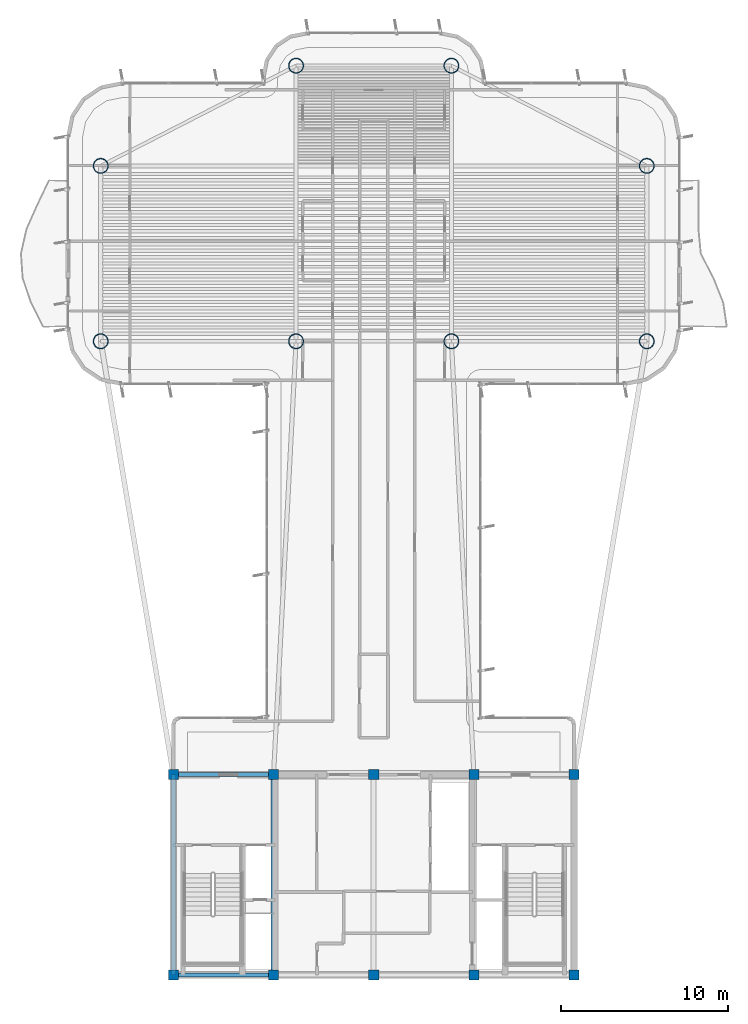
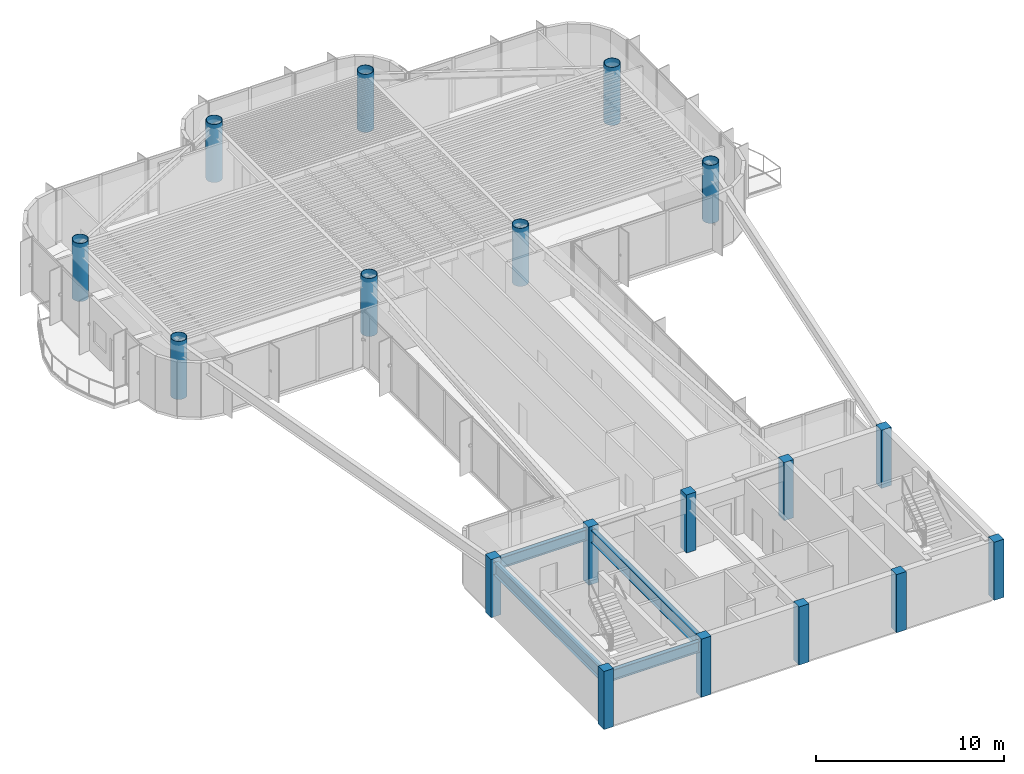
# One storey, part 1 of 16: 18 columns, 4 beams.
"""IFC4 building model written with IfcOpenShell, lengths in metres."""

from ifc_helpers import new_model, si_unit, direction, frame, origin, origin_2d, place, context, subcontext, project, spatial, rectangle, hollow_circle, i_section, extrude, source, transform, mapped, material, material_profile, profile_set, type_object, element, save


model = new_model("IFC4")

# Units and contexts
model_context = context("Model", 3, precision=1e-05, world=origin(), true_north=direction((0.0, 1.0)))
body_context = subcontext(model_context, "Body", "Model", "MODEL_VIEW")
ifc_project = project(units=[si_unit("LENGTHUNIT", "METRE"), si_unit("AREAUNIT", "SQUARE_METRE"), si_unit("VOLUMEUNIT", "CUBIC_METRE"), si_unit("PLANEANGLEUNIT", "RADIAN"), si_unit("MASSUNIT", "GRAM", prefix="KILO")], contexts=[model_context])

# Site, building, storey
site_placement = place(None, origin())
site = spatial("IfcSite", under=ifc_project, at=site_placement, CompositionType="ELEMENT")
building_placement = place(site_placement, origin())
building = spatial("IfcBuilding", under=site, at=building_placement, Name="Brelvock Crest Care Tower", CompositionType="ELEMENT")
storey_placement = place(building_placement, frame((0.0, 0.0, 226.800048828125)))
storey = spatial("IfcBuildingStorey", under=building, at=storey_placement, Name="L57", CompositionType="ELEMENT", Elevation=226.800048828125)

# Columns
ifc_material_1 = material(Name="Concrete S65 (65 MPa)", Category="concrete")
ifc_material_profile_1 = material_profile(ifc_material_1, rectangle(XDim=0.60009765625, YDim=0.60009765625, at=origin_2d()), Name="RC600x600")
ifc_profile_set_1 = profile_set([ifc_material_profile_1], Name="Concrete S65 (65 MPa)")
column_type_1 = type_object("IfcColumnType", Name="COL-RC4", PredefinedType="COLUMN", material=ifc_profile_set_1)
shared_shape_1 = source(origin(), body_context, "Body", "SweptSolid", [
    extrude(rectangle(XDim=0.60009765625, YDim=0.60009765625, at=origin_2d()), origin(), (0.0, 0.0, 1.0), 3.780029296875),
])
for number, where, z_axis, x_axis, name in (
    (1, (24.0, 6.0, 0.0), (0.0, 0.0, 1.0), (1.0, 0.0, 0.0), "L57 Core Column CC-01"),
    (2, (30.0, 6.0, 0.0), (0.0, 0.0, 1.0), (1.0, 0.0, 0.0), "L57 Core Column CC-02"),
    (3, (36.0, 6.0, 0.0), (0.0, 0.0, 1.0), (1.0, 0.0, 0.0), "L57 Core Column CC-03"),
    (4, (42.0, 6.0, 0.0), (0.0, 0.0, 1.0), (1.0, 0.0, 0.0), "L57 Core Column CC-04"),
    (5, (48.0, 6.0, 0.0), (0.0, 0.0, 1.0), (1.0, 0.0, 0.0), "L57 Core Column CC-05"),
    (6, (24.0, 18.0, 0.0), (0.0, 0.0, 1.0), (1.0, 0.0, 0.0), "L57 Core Column CC-06"),
    (7, (30.0, 18.0, 0.0), (0.0, 0.0, 1.0), (1.0, 0.0, 0.0), "L57 Core Column CC-07"),
    (8, (36.0, 18.0, 0.0), (0.0, 0.0, 1.0), (1.0, 0.0, 0.0), "L57 Core Column CC-08"),
    (9, (42.0, 18.0, 0.0), (0.0, 0.0, 1.0), (1.0, 0.0, 0.0), "L57 Core Column CC-09"),
    (10, (48.0, 18.0, 0.0), (0.0, 0.0, 1.0), (1.0, 0.0, 0.0), "L57 Core Column CC-10"),
):
    element("IfcColumn", number, at=place(storey_placement, frame(where, z_axis=z_axis, x_axis=x_axis)), inside=storey, type_object=column_type_1, Name=name, PredefinedType="COLUMN", context=body_context, shape_type="MappedRepresentation", body=[
        mapped(shared_shape_1, transform((0.0, 0.0, 0.0), x_axis=(1.0, 0.0, 0.0), y_axis=(0.0, 1.0, 0.0), z_axis=(0.0, 0.0, 1.0), scale=1.0)),
    ])
ifc_material_2 = material(Name="Steel Grade 350", Category="steel")
ifc_material_profile_2 = material_profile(ifc_material_2, hollow_circle(Radius=0.449951171875, WallThickness=0.031982421875, at=origin_2d()), Name="CFT900x32")
ifc_profile_set_2 = profile_set([ifc_material_profile_2], Name="Steel Grade 350")
column_type_2 = type_object("IfcColumnType", Name="COL-MC4", PredefinedType="COLUMN", material=ifc_profile_set_2)
shared_shape_2 = source(origin(), body_context, "Body", "SweptSolid", [
    extrude(hollow_circle(Radius=0.449951171875, WallThickness=0.031982421875, at=origin_2d()), origin(), (0.0, 0.0, 1.0), 3.780029296875),
])
for number, where, z_axis, x_axis, name in (
    (11, (19.64990234375, 43.949951171875, 0.0), (0.0, 0.0, 1.0), (1.0, 0.0, 0.0), "L57 Tower Column M1"),
    (12, (19.64990234375, 54.449951171875, 0.0), (0.0, 0.0, 1.0), (1.0, 0.0, 0.0), "L57 Tower Column M2"),
    (13, (52.35009765625, 43.949951171875, 0.0), (0.0, 0.0, 1.0), (1.0, 0.0, 0.0), "L57 Tower Column M3"),
    (14, (52.35009765625, 54.449951171875, 0.0), (0.0, 0.0, 1.0), (1.0, 0.0, 0.0), "L57 Tower Column M4"),
    (15, (31.35009765625, 43.949951171875, 0.0), (0.0, 0.0, 1.0), (1.0, 0.0, 0.0), "L57 Tower Column M5"),
    (16, (40.64990234375, 43.949951171875, 0.0), (0.0, 0.0, 1.0), (1.0, 0.0, 0.0), "L57 Tower Column M6"),
    (17, (31.35009765625, 60.449951171875, 0.0), (0.0, 0.0, 1.0), (1.0, 0.0, 0.0), "L57 Tower Column M7"),
    (18, (40.64990234375, 60.449951171875, 0.0), (0.0, 0.0, 1.0), (1.0, 0.0, 0.0), "L57 Tower Column M8"),
):
    element("IfcColumn", number, at=place(storey_placement, frame(where, z_axis=z_axis, x_axis=x_axis)), inside=storey, type_object=column_type_2, Name=name, PredefinedType="COLUMN", context=body_context, shape_type="MappedRepresentation", body=[
        mapped(shared_shape_2, transform((0.0, 0.0, 0.0), x_axis=(1.0, 0.0, 0.0), y_axis=(0.0, 1.0, 0.0), z_axis=(0.0, 0.0, 1.0), scale=1.0)),
    ])

# Beams
ifc_material_profile_3 = material_profile(ifc_material_2, i_section(OverallWidth=0.25, OverallDepth=0.699951171875, WebThickness=0.011962890625, FlangeThickness=0.02001953125, at=origin_2d()), Name="700WB150")
ifc_profile_set_3 = profile_set([ifc_material_profile_3], Name="Steel Grade 350")
beam_type_1 = type_object("IfcBeamType", Name="BM-G4", PredefinedType="BEAM", material=ifc_profile_set_3)
shared_shape_3 = source(origin(), body_context, "Body", "SweptSolid", [
    extrude(i_section(OverallWidth=0.25, OverallDepth=0.699951171875, WebThickness=0.011962890625, FlangeThickness=0.02001953125, at=origin_2d()), origin(), (0.0, 0.0, 1.0), 6.0),
])
for number, where, z_axis, x_axis, name in (
    (19, (24.0, 6.0, 3.179931640625), (1.0, 0.0, 0.0), (0.0, 1.0, 0.0), "BM-CORES-L57-1"),
    (20, (24.0, 18.0, 3.179931640625), (1.0, 0.0, 0.0), (0.0, 1.0, 0.0), "BM-COREN-L57-1"),
):
    element("IfcBeam", number, at=place(storey_placement, frame(where, z_axis=z_axis, x_axis=x_axis)), inside=storey, type_object=beam_type_1, Name=name, PredefinedType="BEAM", context=body_context, shape_type="MappedRepresentation", body=[
        mapped(shared_shape_3, transform((0.0, 0.0, 0.0), x_axis=(1.0, 0.0, 0.0), y_axis=(0.0, 1.0, 0.0), z_axis=(0.0, 0.0, 1.0), scale=1.0)),
    ])
ifc_material_profile_4 = material_profile(ifc_material_2, i_section(OverallWidth=0.300048828125, OverallDepth=0.800048828125, WebThickness=0.013916015625, FlangeThickness=0.02197265625, at=origin_2d()), Name="800WB192")
ifc_profile_set_4 = profile_set([ifc_material_profile_4], Name="Steel Grade 350")
beam_type_2 = type_object("IfcBeamType", Name="BM-G5", PredefinedType="BEAM", material=ifc_profile_set_4)
shared_shape_4 = source(origin(), body_context, "Body", "SweptSolid", [
    extrude(i_section(OverallWidth=0.300048828125, OverallDepth=0.800048828125, WebThickness=0.013916015625, FlangeThickness=0.02197265625, at=origin_2d()), origin(), (0.0, 0.0, 1.0), 12.0),
])
for number, where, z_axis, x_axis, name in (
    (21, (24.0, 6.0, 3.1298828125), (0.0, 1.0, 0.0), (-1.0, 0.0, 0.0), "BM-COREX-L57-1"),
    (22, (30.0, 6.0, 3.1298828125), (0.0, 1.0, 0.0), (-1.0, 0.0, 0.0), "BM-COREX-L57-2"),
):
    element("IfcBeam", number, at=place(storey_placement, frame(where, z_axis=z_axis, x_axis=x_axis)), inside=storey, type_object=beam_type_2, Name=name, PredefinedType="BEAM", context=body_context, shape_type="MappedRepresentation", body=[
        mapped(shared_shape_4, transform((0.0, 0.0, 0.0), x_axis=(1.0, 0.0, 0.0), y_axis=(0.0, 1.0, 0.0), z_axis=(0.0, 0.0, 1.0), scale=1.0)),
    ])

save(model, "model.ifc")
